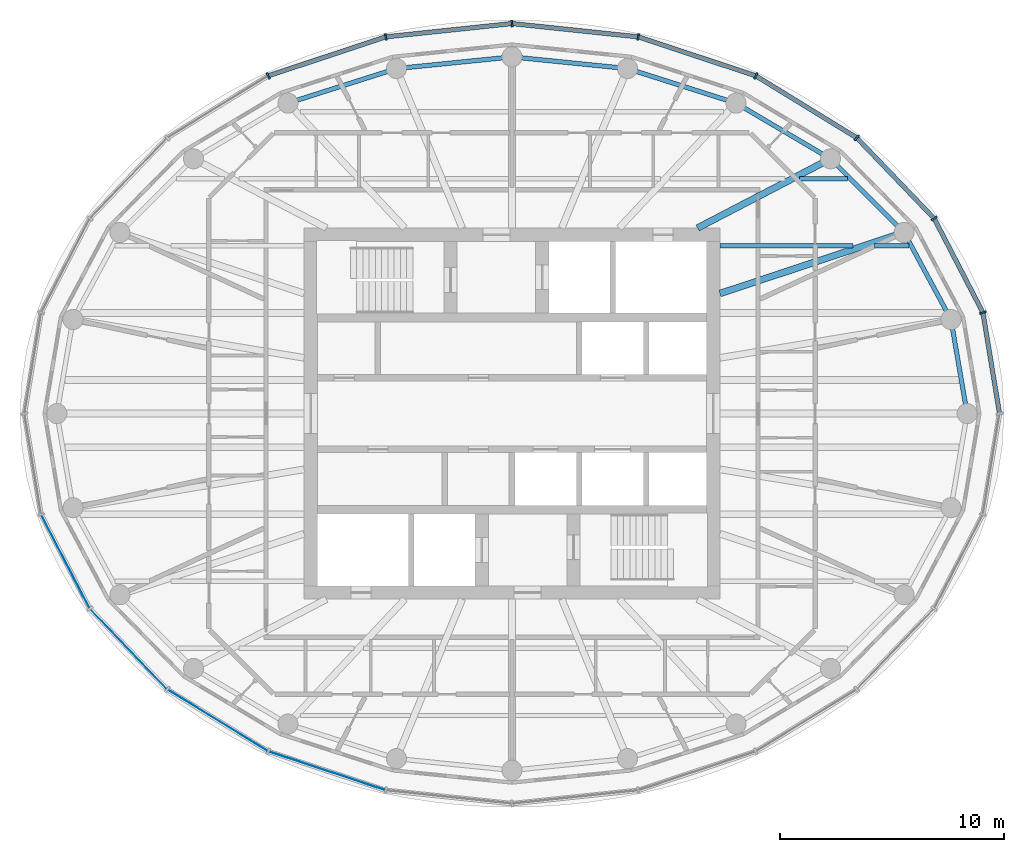
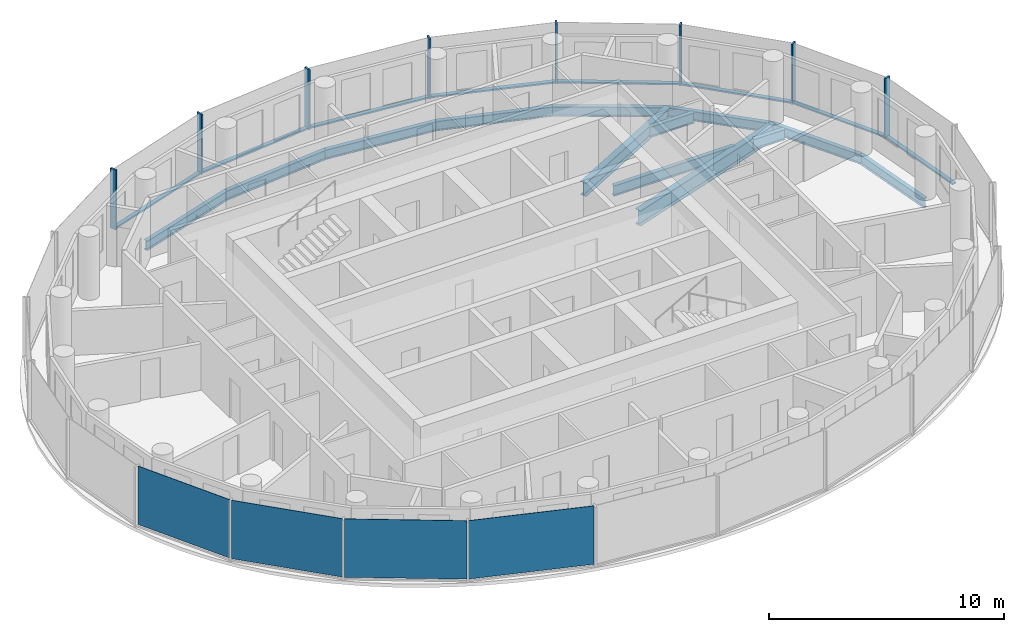
# One storey, part 3 of 11: 16 members, 13 beams, 4 plates, 3 elements without a shape of their own.
"""IFC4 building model written with IfcOpenShell, lengths in metres."""

from ifc_helpers import new_model, si_unit, direction, frame, origin, origin_2d, place, context, subcontext, project, spatial, rectangle, i_section, extrude, material, layer, layer_set, material_profile, profile_set, type_object, element, aggregate, save


model = new_model("IFC4")

# Units and contexts
model_context = context("Model", 3, precision=1e-05, world=origin(), true_north=direction((0.0, 1.0)))
body_context = subcontext(model_context, "Body", "Model", "MODEL_VIEW")
ifc_project = project(units=[si_unit("LENGTHUNIT", "METRE"), si_unit("AREAUNIT", "SQUARE_METRE"), si_unit("VOLUMEUNIT", "CUBIC_METRE"), si_unit("PLANEANGLEUNIT", "RADIAN"), si_unit("MASSUNIT", "GRAM", prefix="KILO")], contexts=[model_context])

# Site, building, storey
site_placement = place(None, origin())
site = spatial("IfcSite", under=ifc_project, at=site_placement, CompositionType="ELEMENT")
building_placement = place(site_placement, origin())
building = spatial("IfcBuilding", under=site, at=building_placement, Name="Hankou Lantern Tower", CompositionType="ELEMENT")
storey_placement = place(building_placement, frame((0.0, 0.0, 225.89990234375)))
storey = spatial("IfcBuildingStorey", under=building, at=storey_placement, Name="L61", CompositionType="ELEMENT", Elevation=225.89990234375)

# Beams
ifc_material_1 = material(Name="Steel Q355B", Category="steel")
ifc_material_profile_1 = material_profile(ifc_material_1, i_section(OverallWidth=0.199951171875, OverallDepth=0.5, WebThickness=0.010009765625, FlangeThickness=0.01611328125, FilletRadius=0.012939453125, at=origin_2d()), Name="HN500x200x10x16")
ifc_profile_set_1 = profile_set([ifc_material_profile_1], Name="Steel Q355B")
beam_type_1 = type_object("IfcBeamType", Name="EB5 RING BEAM HN500x200x10x16", PredefinedType="SPANDREL", material=ifc_profile_set_1)
beam_1_placement = place(storey_placement, frame((20.35009765625, 0.0, -0.429931640625), z_axis=(-0.168876512999, 0.98563721691, 0.0), x_axis=(-0.98563721691, -0.168876512999, 0.0)))
element("IfcBeam", 1, at=beam_1_placement, inside=storey, type_object=beam_type_1, Name="Ring beam R01-R02 L61", PredefinedType="SPANDREL", context=body_context, shape_type="SweptSolid", body=[
    extrude(i_section(OverallWidth=0.199951171875, OverallDepth=0.5, WebThickness=0.010009765625, FlangeThickness=0.01611328125, FilletRadius=0.012939453125, at=origin_2d()), origin(), (0.0, 0.0, 1.0), 4.26904296875),
])
beam_2_placement = place(storey_placement, frame((19.629150390625, 4.207763671875, -0.429931640625), z_axis=(-0.474491806611, 0.880259919262, 0.0), x_axis=(-0.880259919262, -0.474491806611, 0.0)))
element("IfcBeam", 2, at=beam_2_placement, inside=storey, type_object=beam_type_1, Name="Ring beam R02-R03 L61", PredefinedType="SPANDREL", context=body_context, shape_type="SweptSolid", body=[
    extrude(i_section(OverallWidth=0.199951171875, OverallDepth=0.5, WebThickness=0.010009765625, FlangeThickness=0.01611328125, FilletRadius=0.012939453125, at=origin_2d()), origin(), (0.0, 0.0, 1.0), 4.419189453125),
])
beam_3_placement = place(storey_placement, frame((17.5322265625, 8.097900390625, -0.429931640625), z_axis=(-0.706608588034, 0.707604623583, 0.0), x_axis=(-0.707604623583, -0.706608588034, 0.0)))
element("IfcBeam", 3, at=beam_3_placement, inside=storey, type_object=beam_type_1, Name="Ring beam R03-R04 L61", PredefinedType="SPANDREL", context=body_context, shape_type="SweptSolid", body=[
    extrude(i_section(OverallWidth=0.199951171875, OverallDepth=0.5, WebThickness=0.010009765625, FlangeThickness=0.01611328125, FilletRadius=0.012939453125, at=origin_2d()), origin(), (0.0, 0.0, 1.0), 4.6572265625),
])
beam_4_placement = place(storey_placement, frame((14.241455078125, 11.393310546875, -0.429931640625), z_axis=(-0.861422897323, 0.507888365655, 0.0), x_axis=(-0.507888365655, -0.861422897323, 0.0)))
element("IfcBeam", 4, at=beam_4_placement, inside=storey, type_object=beam_type_1, Name="Ring beam R04-R05 L61", PredefinedType="SPANDREL", context=body_context, shape_type="SweptSolid", body=[
    extrude(i_section(OverallWidth=0.199951171875, OverallDepth=0.5, WebThickness=0.010009765625, FlangeThickness=0.01611328125, FilletRadius=0.012939453125, at=origin_2d()), origin(), (0.0, 0.0, 1.0), 4.901611328125),
])
beam_5_placement = place(storey_placement, frame((10.01904296875, 13.8828125, -0.429931640625), z_axis=(-0.952887359315, 0.303324381574, 0.0), x_axis=(-0.303324381574, -0.952887359315, 0.0)))
element("IfcBeam", 5, at=beam_5_placement, inside=storey, type_object=beam_type_1, Name="Ring beam R05-R06 L61", PredefinedType="SPANDREL", context=body_context, shape_type="SweptSolid", body=[
    extrude(i_section(OverallWidth=0.199951171875, OverallDepth=0.5, WebThickness=0.010009765625, FlangeThickness=0.01611328125, FilletRadius=0.012939453125, at=origin_2d()), origin(), (0.0, 0.0, 1.0), 5.091796875),
])
for number, where, z_axis, x_axis, name in (
    (6, (5.167236328125, 15.42724609375, -0.429931640625), (-0.994922507736, 0.100643944676, 0.0), (-0.100643944676, -0.994922507736, 0.0), "Ring beam R06-R07 L61"),
    (7, (0.0, 15.949951171875, -0.429931640625), (-0.994922507736, -0.100643944676, 0.0), (0.100643944676, -0.994922507736, 0.0), "Ring beam R07-R08 L61"),
):
    element("IfcBeam", number, at=place(storey_placement, frame(where, z_axis=z_axis, x_axis=x_axis)), inside=storey, type_object=beam_type_1, Name=name, PredefinedType="SPANDREL", context=body_context, shape_type="SweptSolid", body=[
        extrude(i_section(OverallWidth=0.199951171875, OverallDepth=0.5, WebThickness=0.010009765625, FlangeThickness=0.01611328125, FilletRadius=0.012939453125, at=origin_2d()), origin(), (0.0, 0.0, 1.0), 5.193603515625),
    ])
beam_6_placement = place(storey_placement, frame((-5.167236328125, 15.42724609375, -0.429931640625), z_axis=(-0.952887359315, -0.303324381574, 0.0), x_axis=(0.303324381574, -0.952887359315, 0.0)))
element("IfcBeam", 8, at=beam_6_placement, inside=storey, type_object=beam_type_1, Name="Ring beam R08-R09 L61", PredefinedType="SPANDREL", context=body_context, shape_type="SweptSolid", body=[
    extrude(i_section(OverallWidth=0.199951171875, OverallDepth=0.5, WebThickness=0.010009765625, FlangeThickness=0.01611328125, FilletRadius=0.012939453125, at=origin_2d()), origin(), (0.0, 0.0, 1.0), 5.091796875),
])

# Curtain wall, members
ifc_material_2 = material(Name="Glass, dark grey tinted laminated", Category="glass")
curtain_wall_type = type_object("IfcCurtainWallType", Name="CWD OUTER SKIN SUITE", PredefinedType="USERDEFINED", material=ifc_material_2)
curtain_wall_1_placement = place(storey_placement, origin())
curtain_wall_1 = element("IfcCurtainWall", 9, at=curtain_wall_1_placement, inside=storey, type_object=curtain_wall_type, Name="CWD L61 OS1", ObjectType="OUTER SKIN SUITE", PredefinedType="USERDEFINED")
ifc_material_3 = material(Name="Aluminium, black anodised", Category="aluminium")
ifc_material_profile_2 = material_profile(ifc_material_3, rectangle(XDim=0.080078125, YDim=0.300048828125, at=origin_2d()), Name="MU1 80X300")
ifc_profile_set_2 = profile_set([ifc_material_profile_2], Name="Aluminium, black anodised")
member_type_1 = type_object("IfcMemberType", Name="MU1 OUTER SKIN MULLION 80X300", PredefinedType="MULLION", material=ifc_profile_set_2)
member_1_placement = place(storey_placement, frame((21.05712890625, 4.513916015625, 0.0), z_axis=(0.0, 0.0, 1.0), x_axis=(-0.317595577365, 0.94822626479, 0.0)))
member_1 = element("IfcMember", 10, at=member_1_placement, type_object=member_type_1, Name="CWD mullion 2", PredefinedType="MULLION", context=body_context, shape_type="SweptSolid", body=[
    extrude(rectangle(XDim=0.080078125, YDim=0.300048828125, at=origin_2d()), origin(), (0.0, 0.0, 1.0), 3.1201171875),
])
member_2_placement = place(storey_placement, frame((18.87939453125, 8.719970703125, 0.0), z_axis=(0.0, 0.0, 1.0), x_axis=(-0.585205735974, 0.810884854084, 0.0)))
member_2 = element("IfcMember", 11, at=member_2_placement, type_object=member_type_1, Name="CWD mullion 3", PredefinedType="MULLION", context=body_context, shape_type="SweptSolid", body=[
    extrude(rectangle(XDim=0.080078125, YDim=0.300048828125, at=origin_2d()), origin(), (0.0, 0.0, 1.0), 3.1201171875),
])
member_3_placement = place(storey_placement, frame((15.4150390625, 12.33203125, 0.0), z_axis=(0.0, 0.0, 1.0), x_axis=(-0.780868809444, 0.624695047553, 0.0)))
member_3 = element("IfcMember", 12, at=member_3_placement, type_object=member_type_1, Name="CWD mullion 4", PredefinedType="MULLION", context=body_context, shape_type="SweptSolid", body=[
    extrude(rectangle(XDim=0.080078125, YDim=0.300048828125, at=origin_2d()), origin(), (0.0, 0.0, 1.0), 3.1201171875),
])
member_4_placement = place(storey_placement, frame((10.89990234375, 15.103515625, 0.0), z_axis=(0.0, 0.0, 1.0), x_axis=(-0.907841299004, 0.419313934686, 0.0)))
member_4 = element("IfcMember", 13, at=member_4_placement, type_object=member_type_1, Name="CWD mullion 5", PredefinedType="MULLION", context=body_context, shape_type="SweptSolid", body=[
    extrude(rectangle(XDim=0.080078125, YDim=0.300048828125, at=origin_2d()), origin(), (0.0, 0.0, 1.0), 3.1201171875),
])
member_5_placement = place(storey_placement, frame((5.642333984375, 16.845703125, 0.0), z_axis=(0.0, 0.0, 1.0), x_axis=(-0.977787659625, 0.209597931016, 0.0)))
member_5 = element("IfcMember", 14, at=member_5_placement, type_object=member_type_1, Name="CWD mullion 6", PredefinedType="MULLION", context=body_context, shape_type="SweptSolid", body=[
    extrude(rectangle(XDim=0.080078125, YDim=0.300048828125, at=origin_2d()), origin(), (0.0, 0.0, 1.0), 3.1201171875),
])

curtain_wall_2_placement = place(storey_placement, origin())
curtain_wall_2 = element("IfcCurtainWall", 15, at=curtain_wall_2_placement, inside=storey, type_object=curtain_wall_type, Name="CWD L61 OS2", ObjectType="OUTER SKIN SUITE", PredefinedType="USERDEFINED")
member_6_placement = place(storey_placement, frame((0.0, 17.43994140625, 0.0), z_axis=(0.0, 0.0, 1.0), x_axis=(-0.994499359107, -0.104742659579, 0.0)))
member_6 = element("IfcMember", 16, at=member_6_placement, type_object=member_type_1, Name="CWD mullion 1", PredefinedType="MULLION", context=body_context, shape_type="SweptSolid", body=[
    extrude(rectangle(XDim=0.080078125, YDim=0.300048828125, at=origin_2d()), origin(), (0.0, 0.0, 1.0), 3.1201171875),
])
member_7_placement = place(storey_placement, frame((-5.642333984375, 16.845703125, 0.0), z_axis=(0.0, 0.0, 1.0), x_axis=(-0.977787659625, -0.209597931016, 0.0)))
member_7 = element("IfcMember", 17, at=member_7_placement, type_object=member_type_1, Name="CWD mullion 2", PredefinedType="MULLION", context=body_context, shape_type="SweptSolid", body=[
    extrude(rectangle(XDim=0.080078125, YDim=0.300048828125, at=origin_2d()), origin(), (0.0, 0.0, 1.0), 3.1201171875),
])
member_8_placement = place(storey_placement, frame((-10.89990234375, 15.103515625, 0.0), z_axis=(0.0, 0.0, 1.0), x_axis=(-0.907841299004, -0.419313934686, 0.0)))
member_8 = element("IfcMember", 18, at=member_8_placement, type_object=member_type_1, Name="CWD mullion 3", PredefinedType="MULLION", context=body_context, shape_type="SweptSolid", body=[
    extrude(rectangle(XDim=0.080078125, YDim=0.300048828125, at=origin_2d()), origin(), (0.0, 0.0, 1.0), 3.1201171875),
])

# Beams
ifc_material_4 = material(Name="Steel Q355B", Category="steel")
ifc_material_profile_3 = material_profile(ifc_material_4, i_section(OverallWidth=0.300048828125, OverallDepth=0.800048828125, WebThickness=0.013916015625, FlangeThickness=0.02587890625, FilletRadius=0.01806640625, at=origin_2d()), Name="HN800x300x14x26")
ifc_profile_set_3 = profile_set([ifc_material_profile_3], Name="Steel Q355B")
beam_type_2 = type_object("IfcBeamType", Name="RB11 RADIAL BEAM HN800x300x14x26", PredefinedType="BEAM", material=ifc_profile_set_3)
beam_7_placement = place(storey_placement, frame((9.300048828125, 5.369384765625, -0.579833984375), z_axis=(0.949219608576, 0.314614263337, 0.0), x_axis=(-0.314614263337, 0.949219608576, 0.0)))
element("IfcBeam", 19, at=beam_7_placement, inside=storey, type_object=beam_type_2, Name="Radial beam R03 L61", PredefinedType="BEAM", context=body_context, shape_type="SweptSolid", body=[
    extrude(i_section(OverallWidth=0.300048828125, OverallDepth=0.800048828125, WebThickness=0.013916015625, FlangeThickness=0.02587890625, FilletRadius=0.01806640625, at=origin_2d()), origin(), (0.0, 0.0, 1.0), 8.672607421875),
])
ifc_material_5 = material(Name="Steel Q355B", Category="steel")
ifc_material_profile_4 = material_profile(ifc_material_5, i_section(OverallWidth=0.300048828125, OverallDepth=0.699951171875, WebThickness=0.012939453125, FlangeThickness=0.02392578125, FilletRadius=0.01806640625, at=origin_2d()), Name="HN700x300x13x24")
ifc_profile_set_4 = profile_set([ifc_material_profile_4], Name="Steel Q355B")
beam_type_3 = type_object("IfcBeamType", Name="RB9 RADIAL BEAM HN700x300x13x24", PredefinedType="BEAM", material=ifc_profile_set_4)
beam_8_placement = place(storey_placement, frame((8.300048828125, 8.300048828125, -0.52978515625), z_axis=(0.886988734783, 0.461791061378, 0.0), x_axis=(-0.461791061378, 0.886988734783, 0.0)))
element("IfcBeam", 20, at=beam_8_placement, inside=storey, type_object=beam_type_3, Name="Radial beam R04 L61", PredefinedType="BEAM", context=body_context, shape_type="SweptSolid", body=[
    extrude(i_section(OverallWidth=0.300048828125, OverallDepth=0.699951171875, WebThickness=0.012939453125, FlangeThickness=0.02392578125, FilletRadius=0.01806640625, at=origin_2d()), origin(), (0.0, 0.0, 1.0), 6.698486328125),
])
ifc_material_6 = material(Name="Steel Q355B", Category="steel")
ifc_material_profile_5 = material_profile(ifc_material_6, i_section(OverallWidth=0.199951171875, OverallDepth=0.550048828125, WebThickness=0.010009765625, FlangeThickness=0.01611328125, FilletRadius=0.012939453125, at=origin_2d()), Name="HN550x200x10x16")
ifc_profile_set_5 = profile_set([ifc_material_profile_5], Name="Steel Q355B")
beam_type_4 = type_object("IfcBeamType", Name="SB6 SECONDARY BEAM HN550x200x10x16", PredefinedType="JOIST", material=ifc_profile_set_5)
beam_9_placement = place(storey_placement, frame((9.300048828125, 7.5, -0.454833984375), z_axis=(1.0, 0.0, 0.0), x_axis=(0.0, 1.0, 0.0)))
element("IfcBeam", 21, at=beam_9_placement, inside=storey, type_object=beam_type_4, Name="Floor joist J027 L61", PredefinedType="JOIST", context=body_context, shape_type="SweptSolid", body=[
    extrude(i_section(OverallWidth=0.199951171875, OverallDepth=0.550048828125, WebThickness=0.010009765625, FlangeThickness=0.01611328125, FilletRadius=0.012939453125, at=origin_2d()), origin(), (0.0, 0.0, 1.0), 5.95166015625),
])
beam_10_placement = place(storey_placement, frame((16.205322265625, 7.5, -0.454833984375), z_axis=(1.0, 0.0, 0.0), x_axis=(0.0, 1.0, 0.0)))
element("IfcBeam", 22, at=beam_10_placement, inside=storey, type_object=beam_type_4, Name="Floor joist J028 L61", PredefinedType="JOIST", context=body_context, shape_type="SweptSolid", body=[
    extrude(i_section(OverallWidth=0.199951171875, OverallDepth=0.550048828125, WebThickness=0.010009765625, FlangeThickness=0.01611328125, FilletRadius=0.012939453125, at=origin_2d()), origin(), (0.0, 0.0, 1.0), 1.53564453125),
])
beam_11_placement = place(storey_placement, frame((12.8505859375, 10.5, -0.454833984375), z_axis=(1.0, 0.0, 0.0), x_axis=(0.0, 1.0, 0.0)))
element("IfcBeam", 23, at=beam_11_placement, inside=storey, type_object=beam_type_4, Name="Floor joist J036 L61", PredefinedType="JOIST", context=body_context, shape_type="SweptSolid", body=[
    extrude(i_section(OverallWidth=0.199951171875, OverallDepth=0.550048828125, WebThickness=0.010009765625, FlangeThickness=0.01611328125, FilletRadius=0.012939453125, at=origin_2d()), origin(), (0.0, 0.0, 1.0), 2.1416015625),
])

# Member
ifc_material_7 = material(Name="Aluminium, black anodised", Category="aluminium")
ifc_material_profile_6 = material_profile(ifc_material_7, rectangle(XDim=0.199951171875, YDim=0.080078125, at=origin_2d()), Name="TR1 200X80")
ifc_profile_set_6 = profile_set([ifc_material_profile_6], Name="Aluminium, black anodised")
member_type_2 = type_object("IfcMemberType", Name="TR1 OUTER SKIN TRANSOM 200X80", PredefinedType="USERDEFINED", material=ifc_profile_set_6)
member_9_placement = place(storey_placement, frame((21.79345703125, 0.03955078125, 0.0400390625), z_axis=(-0.162363822839, 0.986730960816, 0.0), x_axis=(-0.986730960816, -0.162363822839, 0.0)))
member_9 = element("IfcMember", 24, at=member_9_placement, type_object=member_type_2, Name="CWD transom 1", ObjectType="TRANSOM", PredefinedType="USERDEFINED", context=body_context, shape_type="SweptSolid", body=[
    extrude(rectangle(XDim=0.199951171875, YDim=0.080078125, at=origin_2d()), origin(), (0.0, 0.0, 1.0), 4.494384765625),
])

member_10_placement = place(storey_placement, frame((21.038818359375, 4.54931640625, 0.0400390625), z_axis=(-0.45979371115, 0.888025755925, 0.0), x_axis=(-0.888025755925, -0.45979371115, 0.0)))
member_10 = element("IfcMember", 25, at=member_10_placement, type_object=member_type_2, Name="CWD transom 2", ObjectType="TRANSOM", PredefinedType="USERDEFINED", context=body_context, shape_type="SweptSolid", body=[
    extrude(rectangle(XDim=0.199951171875, YDim=0.080078125, at=origin_2d()), origin(), (0.0, 0.0, 1.0), 4.65673828125),
])

member_11_placement = place(storey_placement, frame((18.8515625, 8.748779296875, 0.0400390625), z_axis=(-0.692204633274, 0.721701285626, 0.0), x_axis=(-0.721701285626, -0.692204633274, 0.0)))
member_11 = element("IfcMember", 26, at=member_11_placement, type_object=member_type_2, Name="CWD transom 3", ObjectType="TRANSOM", PredefinedType="USERDEFINED", context=body_context, shape_type="SweptSolid", body=[
    extrude(rectangle(XDim=0.199951171875, YDim=0.080078125, at=origin_2d()), origin(), (0.0, 0.0, 1.0), 4.9248046875),
])

member_12_placement = place(storey_placement, frame((15.380859375, 12.352783203125, 0.0400390625), z_axis=(-0.852234544008, 0.523159900986, 0.0), x_axis=(-0.523159900986, -0.852234544008, 0.0)))
member_12 = element("IfcMember", 27, at=member_12_placement, type_object=member_type_2, Name="CWD transom 4", ObjectType="TRANSOM", PredefinedType="USERDEFINED", context=body_context, shape_type="SweptSolid", body=[
    extrude(rectangle(XDim=0.199951171875, YDim=0.080078125, at=origin_2d()), origin(), (0.0, 0.0, 1.0), 5.2177734375),
])

member_13_placement = place(storey_placement, frame((10.862060546875, 15.115966796875, 0.0400390625), z_axis=(-0.949231947668, 0.314577032739, 0.0), x_axis=(-0.314577032739, -0.949231947668, 0.0)))
member_13 = element("IfcMember", 28, at=member_13_placement, type_object=member_type_2, Name="CWD transom 5", ObjectType="TRANSOM", PredefinedType="USERDEFINED", context=body_context, shape_type="SweptSolid", body=[
    extrude(rectangle(XDim=0.199951171875, YDim=0.080078125, at=origin_2d()), origin(), (0.0, 0.0, 1.0), 5.458984375),
])

member_14_placement = place(storey_placement, frame((5.6025390625, 16.849853515625, 0.0400390625), z_axis=(-0.994498275726, 0.104752945435, 0.0), x_axis=(-0.104752945435, -0.994498275726, 0.0)))
member_14 = element("IfcMember", 29, at=member_14_placement, type_object=member_type_2, Name="CWD transom 6", ObjectType="TRANSOM", PredefinedType="USERDEFINED", context=body_context, shape_type="SweptSolid", body=[
    extrude(rectangle(XDim=0.199951171875, YDim=0.080078125, at=origin_2d()), origin(), (0.0, 0.0, 1.0), 5.593505859375),
])

aggregate(curtain_wall_1, [member_1, member_2, member_3, member_4, member_5, member_9, member_10, member_11, member_12, member_13, member_14])

member_15_placement = place(storey_placement, frame((-0.039794921875, 17.435791015625, 0.0400390625), z_axis=(-0.994498275726, -0.104752945435, 0.0), x_axis=(0.104752945435, -0.994498275726, 0.0)))
member_15 = element("IfcMember", 30, at=member_15_placement, type_object=member_type_2, Name="CWD transom 1", ObjectType="TRANSOM", PredefinedType="USERDEFINED", context=body_context, shape_type="SweptSolid", body=[
    extrude(rectangle(XDim=0.199951171875, YDim=0.080078125, at=origin_2d()), origin(), (0.0, 0.0, 1.0), 5.593505859375),
])

member_16_placement = place(storey_placement, frame((-5.68017578125, 16.833251953125, 0.0400390625), z_axis=(-0.949231947668, -0.314577032739, 0.0), x_axis=(0.314577032739, -0.949231947668, 0.0)))
member_16 = element("IfcMember", 31, at=member_16_placement, type_object=member_type_2, Name="CWD transom 2", ObjectType="TRANSOM", PredefinedType="USERDEFINED", context=body_context, shape_type="SweptSolid", body=[
    extrude(rectangle(XDim=0.199951171875, YDim=0.080078125, at=origin_2d()), origin(), (0.0, 0.0, 1.0), 5.458984375),
])

aggregate(curtain_wall_2, [member_6, member_7, member_8, member_15, member_16])

# Curtain wall, plates
curtain_wall_3_placement = place(storey_placement, origin())
curtain_wall_3 = element("IfcCurtainWall", 32, at=curtain_wall_3_placement, inside=storey, type_object=curtain_wall_type, Name="CWD L61 OS3", ObjectType="OUTER SKIN SUITE", PredefinedType="USERDEFINED")
ifc_material_8 = material(Name="Glass, dark grey tinted laminated", Category="glass")
ifc_layer = layer(ifc_material_8, 0.02392578125)
ifc_layer_set = layer_set([ifc_layer], Name="Glass, dark grey tinted laminated")
plate_type = type_object("IfcPlateType", Name="PN1 OUTER SKIN GLASS PANEL", PredefinedType="CURTAIN_PANEL", material=ifc_layer_set)
plate_1_placement = place(storey_placement, frame((-19.96826171875, -6.616943359375, 0.080078125), z_axis=(0.0, 0.0, 1.0), x_axis=(0.459791091957, -0.888027112062, 0.0)))
plate_1 = element("IfcPlate", 33, at=plate_1_placement, type_object=plate_type, Name="CWD glass panel 2", PredefinedType="CURTAIN_PANEL", context=body_context, shape_type="SweptSolid", body=[
    extrude(rectangle(XDim=4.656494140625, YDim=0.02392578125, at=origin_2d()), origin(), (0.0, 0.0, 1.0), 3.0400390625),
])
plate_2_placement = place(storey_placement, frame((-17.147216796875, -10.52587890625, 0.080078125), z_axis=(0.0, 0.0, 1.0), x_axis=(0.692215809936, -0.721690565599, 0.0)))
plate_2 = element("IfcPlate", 34, at=plate_2_placement, type_object=plate_type, Name="CWD glass panel 3", PredefinedType="CURTAIN_PANEL", context=body_context, shape_type="SweptSolid", body=[
    extrude(rectangle(XDim=4.9248046875, YDim=0.02392578125, at=origin_2d()), origin(), (0.0, 0.0, 1.0), 3.0400390625),
])
plate_3_placement = place(storey_placement, frame((-13.157470703125, -13.7177734375, 0.080078125), z_axis=(0.0, 0.0, 1.0), x_axis=(0.852237151549, -0.523155653242, 0.0)))
plate_3 = element("IfcPlate", 35, at=plate_3_placement, type_object=plate_type, Name="CWD glass panel 4", PredefinedType="CURTAIN_PANEL", context=body_context, shape_type="SweptSolid", body=[
    extrude(rectangle(XDim=5.2177734375, YDim=0.02392578125, at=origin_2d()), origin(), (0.0, 0.0, 1.0), 3.0400390625),
])
plate_4_placement = place(storey_placement, frame((-8.271240234375, -15.974609375, 0.080078125), z_axis=(0.0, 0.0, 1.0), x_axis=(0.949240677293, -0.31455068999, 0.0)))
plate_4 = element("IfcPlate", 36, at=plate_4_placement, type_object=plate_type, Name="CWD glass panel 5", PredefinedType="CURTAIN_PANEL", context=body_context, shape_type="SweptSolid", body=[
    extrude(rectangle(XDim=5.458984375, YDim=0.02392578125, at=origin_2d()), origin(), (0.0, 0.0, 1.0), 3.0400390625),
])
aggregate(curtain_wall_3, [plate_1, plate_2, plate_3, plate_4])

save(model, "model.ifc")
